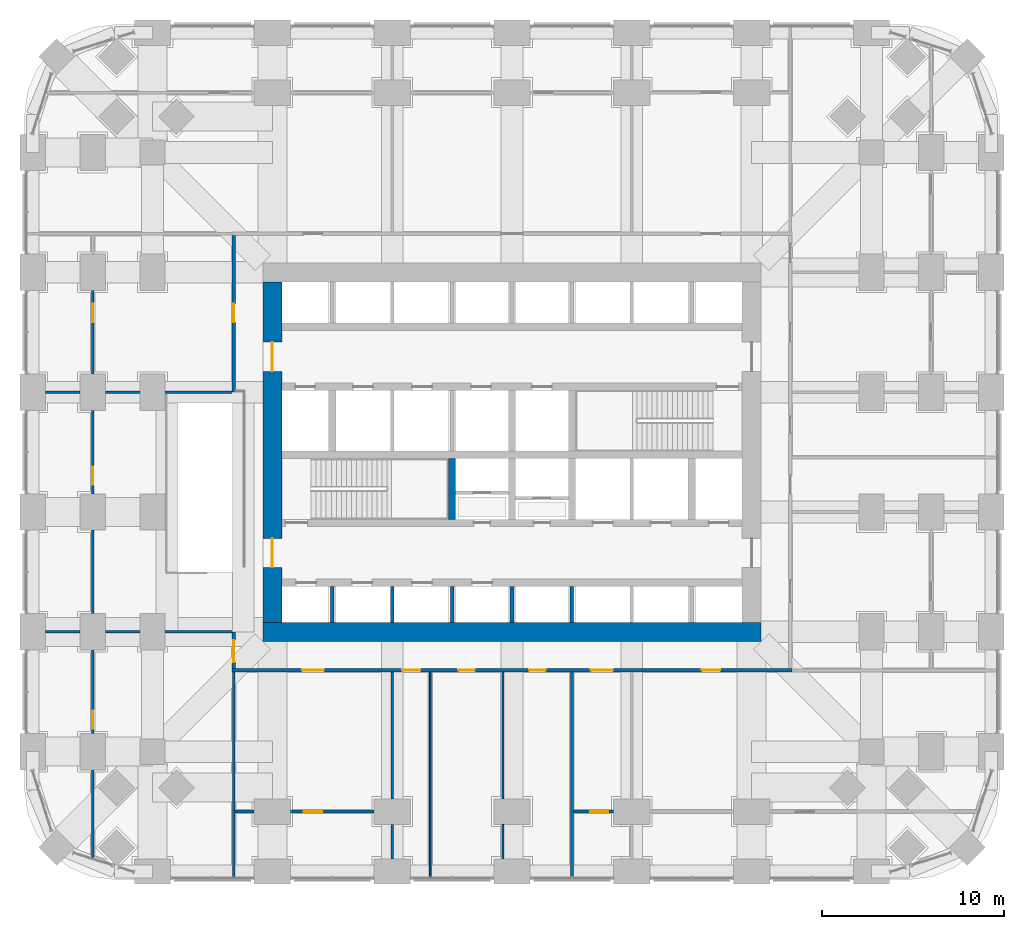
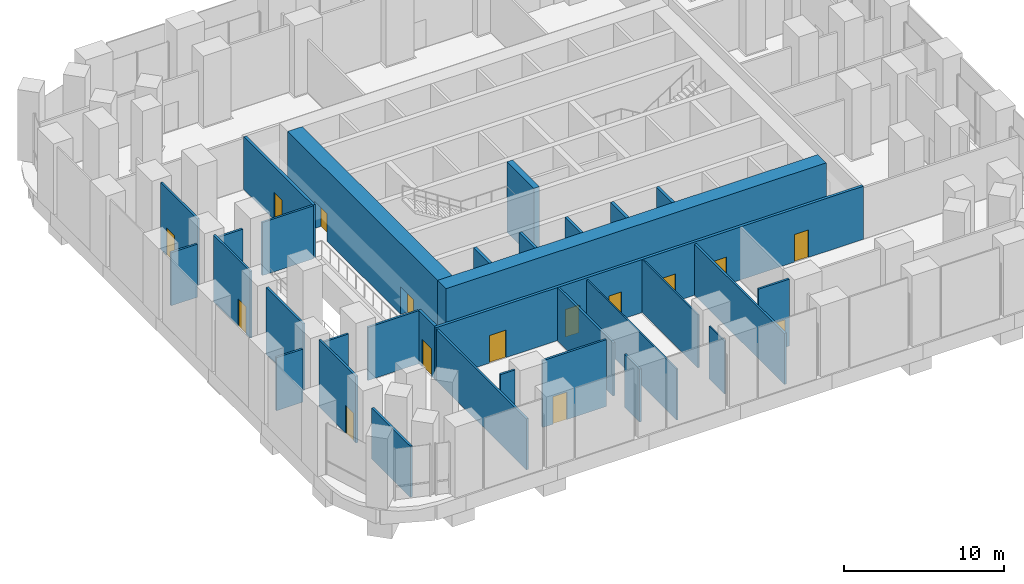
# One storey, part 11 of 17: 32 walls, 15 doors, 15 openings.
"""IFC4 building model written with IfcOpenShell, lengths in metres."""

import ifcopenshell
import ifcopenshell.guid

model = None  # the IFC model being written
_history = None  # IfcOwnerHistory: only IFC2X3 demands one
_inside = {}  # id of a spatial element -> (the spatial element, [elements in it])
_under = {}  # id of a project, library or spatial element -> (it, [spatial elements below it])
_declared = {}  # id of a project -> (the project, [libraries it declares])
_typed = {}  # id of a type object -> (the type object, [elements of that type])
_made_of = {}  # id of a material, layer set ... -> (it, [elements and type objects made of it])


def new_model(schema):
    """Start an empty IFC model of exactly this schema.

    Asked for "IFC4X3", IfcOpenShell would pick the latest addendum, in which some entities
    have other attributes; the version numbers below select the first issue.
    IFC2X3 requires an IfcOwnerHistory on every rooted entity: one is made here for all.
    """
    global model, _history
    if schema == "IFC4X3":
        model = ifcopenshell.file(schema_version=(4, 3, 0, 0))
    else:
        model = ifcopenshell.file(schema=schema)
    _inside.clear()
    _under.clear()
    _declared.clear()
    _typed.clear()
    _made_of.clear()
    _history = None
    if model.schema == "IFC2X3":
        org = make("IfcOrganization", Name="unknown")
        user = make(
            "IfcPersonAndOrganization",
            ThePerson=make("IfcPerson", FamilyName="unknown"),
            TheOrganization=org,
        )
        app = make(
            "IfcApplication",
            ApplicationDeveloper=org,
            Version="unknown",
            ApplicationFullName="unknown",
            ApplicationIdentifier="unknown",
        )
        _history = make(
            "IfcOwnerHistory",
            OwningUser=user,
            OwningApplication=app,
            ChangeAction="ADDED",
            CreationDate=0,
        )
    return model


def make(cls, **values):
    """One entity of the class cls with the attributes given. An attribute that is None is left unset."""
    return model.create_entity(
        cls, **{name: value for name, value in values.items() if value is not None}
    )


def rooted(cls, **values):
    """An entity with a GlobalId (a new one), such as an element, a storey or a relation."""
    return make(cls, GlobalId=ifcopenshell.guid.new(), OwnerHistory=_history, **values)


def si_unit(unit_type, name, prefix=None):
    """IfcSIUnit, for example si_unit("LENGTHUNIT", "METRE", prefix="MILLI")."""
    return make("IfcSIUnit", UnitType=unit_type, Prefix=prefix, Name=name)


def assignment(units):
    """IfcUnitAssignment: the units of a project."""
    return None if units is None else make("IfcUnitAssignment", Units=units)


def point(xyz):
    """IfcCartesianPoint."""
    return None if xyz is None else make("IfcCartesianPoint", Coordinates=xyz)


def direction(xyz):
    """IfcDirection."""
    return None if xyz is None else make("IfcDirection", DirectionRatios=xyz)


def frame(location, z_axis=None, x_axis=None):
    """IfcAxis2Placement3D, a coordinate frame: its origin and axes. An axis left out is left unset."""
    return make(
        "IfcAxis2Placement3D",
        Location=point(location),
        Axis=direction(z_axis),
        RefDirection=direction(x_axis),
    )


def frame_2d(location, x_axis=None):
    """IfcAxis2Placement2D, a coordinate frame in the plane: its origin and x axis."""
    return make(
        "IfcAxis2Placement2D", Location=point(location), RefDirection=direction(x_axis)
    )


def origin():
    """The frame at (0, 0, 0) with its axes left unset."""
    return frame((0.0, 0.0, 0.0))


def place(relative_to, where):
    """IfcLocalPlacement: puts the frame where relative to a parent placement (None: the world)."""
    return make(
        "IfcLocalPlacement", PlacementRelTo=relative_to, RelativePlacement=where
    )


def context(
    kind, dimensions, precision=None, world=None, true_north=None, identifier=None
):
    """IfcGeometricRepresentationContext, for example the 3D "Model" context."""
    return make(
        "IfcGeometricRepresentationContext",
        ContextIdentifier=identifier,
        ContextType=kind,
        CoordinateSpaceDimension=dimensions,
        Precision=precision,
        WorldCoordinateSystem=world,
        TrueNorth=true_north,
    )


def subcontext(parent, identifier, kind, view, scale=None):
    """IfcGeometricRepresentationSubContext, for example "Body" below "Model"."""
    return make(
        "IfcGeometricRepresentationSubContext",
        ContextIdentifier=identifier,
        ContextType=kind,
        ParentContext=parent,
        TargetScale=scale,
        TargetView=view,
    )


def project(units=None, contexts=None):
    """IfcProject with its units and contexts."""
    return rooted(
        "IfcProject",
        Name="project",
        RepresentationContexts=contexts,
        UnitsInContext=assignment(units),
    )


def spatial(cls, under=None, at=None, **own):
    """A site, building, storey or space (cls), placed at a placement, below another one or the project."""
    s = rooted(cls, ObjectPlacement=at, **own)
    if under is not None:
        _under.setdefault(under.id(), (under, []))[1].append(s)
    return s


def profile(cls, at=None, kind="AREA", **sizes):
    """A parametric profile (cls). Its sizes go by their IFC names, for example OverallWidth=200.0."""
    return make(cls, ProfileType=kind, Position=at, **sizes)


def rectangle(**sizes):
    """IfcRectangleProfileDef."""
    return profile("IfcRectangleProfileDef", **sizes)


def extrude(swept, where, along, depth):
    """IfcExtrudedAreaSolid: the profile swept, set in the frame where, extruded along a direction by depth."""
    return make(
        "IfcExtrudedAreaSolid",
        SweptArea=swept,
        Position=where,
        ExtrudedDirection=direction(along),
        Depth=depth,
    )


def shape(context_of_items, identifier, shape_type, items):
    """IfcShapeRepresentation: the items that make up one representation, for example the "Body"."""
    return make(
        "IfcShapeRepresentation",
        ContextOfItems=context_of_items,
        RepresentationIdentifier=identifier,
        RepresentationType=shape_type,
        Items=items,
    )


def material(Name=None, Category=None):
    """IfcMaterial."""
    return make("IfcMaterial", Name=Name, Category=Category)


def layer(
    of_material, thickness, ventilated=None, Name=None, Category=None, Priority=None
):
    """IfcMaterialLayer: one layer of a wall or slab, of a material (None: an air gap)."""
    return make(
        "IfcMaterialLayer",
        Material=of_material,
        LayerThickness=thickness,
        IsVentilated=ventilated,
        Name=Name,
        Category=Category,
        Priority=Priority,
    )


def layer_set(layers, Name=None):
    """IfcMaterialLayerSet."""
    return make("IfcMaterialLayerSet", MaterialLayers=layers, LayerSetName=Name)


def made_of(thing, what):
    """Note that an element or type object is made of a material, layer set ...; save() writes the relation."""
    if what is not None:
        _made_of.setdefault(what.id(), (what, []))[1].append(thing)
    return thing


def type_object(cls, material=None, **own):
    """A type object (cls), such as IfcWallType, which elements share."""
    return made_of(rooted(cls, **own), material)


def element(
    cls,
    number,
    at=None,
    inside=None,
    cuts=None,
    type_object=None,
    material=None,
    context=None,
    identifier="Body",
    shape_type=None,
    held_by="IfcProductDefinitionShape",
    body=None,
    shapes=None,
    **own,
):
    """One element of the class cls, such as IfcWall. Its Tag is "e" and its number.

    at: its placement. inside: the storey or other place that contains it. cuts: it is an
    opening in that element (IfcRelVoidsElement). A single representation is given by context,
    identifier, shape_type and body (its items); several are given by shapes. held_by: the class
    of the entity that holds the representations. save() writes the other relations.
    """
    e = rooted(cls, Tag="e%d" % number, ObjectPlacement=at, **own)
    if body is not None:
        shapes = [shape(context, identifier, shape_type, body)]
    if shapes is not None:
        e.Representation = make(held_by, Representations=shapes)
    if inside is not None:
        _inside.setdefault(inside.id(), (inside, []))[1].append(e)
    if cuts is not None:
        rooted(
            "IfcRelVoidsElement", RelatingBuildingElement=cuts, RelatedOpeningElement=e
        )
    if type_object is not None:
        _typed.setdefault(type_object.id(), (type_object, []))[1].append(e)
    return made_of(e, material)


def fill(opening, filler):
    """IfcRelFillsElement: the door or window that sits in an opening."""
    return rooted(
        "IfcRelFillsElement",
        RelatingOpeningElement=opening,
        RelatedBuildingElement=filler,
    )


def aggregate(whole, parts):
    """IfcRelAggregates: a whole, such as a stair, and the parts it consists of."""
    return rooted("IfcRelAggregates", RelatingObject=whole, RelatedObjects=parts)


def save(model, path):
    """Write the relations noted so far, then the file.

    IfcRelAggregates (storeys below a building ...), IfcRelContainedInSpatialStructure (elements
    in a storey), IfcRelDefinesByType, IfcRelAssociatesMaterial and IfcRelDeclares: one each for
    every whole, place, type object, material and project.
    """
    for whole, parts in _under.values():
        aggregate(whole, parts)
    for where, things in _inside.values():
        rooted(
            "IfcRelContainedInSpatialStructure",
            RelatedElements=things,
            RelatingStructure=where,
        )
    for kind, things in _typed.values():
        rooted("IfcRelDefinesByType", RelatedObjects=things, RelatingType=kind)
    for what, things in _made_of.values():
        rooted("IfcRelAssociatesMaterial", RelatedObjects=things, RelatingMaterial=what)
    for by, libraries in _declared.values():
        rooted("IfcRelDeclares", RelatingContext=by, RelatedDefinitions=libraries)
    model.write(path)


model = new_model("IFC4")

# Units and contexts
model_context = context("Model", 3, precision=1e-05, world=origin(), true_north=direction((0.0, 1.0)))
body_context = subcontext(model_context, "Body", "Model", "MODEL_VIEW")
ifc_project = project(units=[si_unit("LENGTHUNIT", "METRE"), si_unit("AREAUNIT", "SQUARE_METRE"), si_unit("VOLUMEUNIT", "CUBIC_METRE"), si_unit("PLANEANGLEUNIT", "RADIAN"), si_unit("MASSUNIT", "GRAM", prefix="KILO")], contexts=[model_context])

# Site, building, storey
site_placement = place(None, origin())
site = spatial("IfcSite", under=ifc_project, at=site_placement, CompositionType="ELEMENT")
building_placement = place(site_placement, origin())
building = spatial("IfcBuilding", under=site, at=building_placement, Name="Cobogo Forest Laboratory Tower", CompositionType="ELEMENT")
storey_placement = place(building_placement, frame((0.0, 0.0, 7.199951171875)))
storey = spatial("IfcBuildingStorey", under=building, at=storey_placement, Name="L01", CompositionType="ELEMENT", Elevation=7.199951171875)

# Walls
ifc_material_1 = material(Name="Concrete HA-50 (C50/60)", Category="concrete")
ifc_layer_1 = layer(ifc_material_1, 0.39990234375)
ifc_layer_set_1 = layer_set([ifc_layer_1], Name="CI400 core inner wall 400")
wall_type_1 = type_object("IfcWallType", Name="CI400 core inner wall 400", PredefinedType="SHEAR", material=ifc_layer_set_1)
wall_1_placement = place(storey_placement, frame((23.10009765625, 19.39990234375, 0.0), z_axis=(0.0, 0.0, 1.0), x_axis=(0.0, 1.0, 0.0)))
element("IfcWall", 1, at=wall_1_placement, inside=storey, type_object=wall_type_1, Name="Core wall CX-23.1 L01", PredefinedType="SHEAR", context=body_context, shape_type="SweptSolid", body=[
    extrude(rectangle(XDim=3.35009765625, YDim=0.39990234375, at=frame_2d((1.675048828125, 0.0))), origin(), (0.0, 0.0, 1.0), 5.400146484375),
])
ifc_layer_2 = layer(ifc_material_1, 1.050048828125)
ifc_layer_set_2 = layer_set([ifc_layer_2], Name="CW1050 core outer wall 1050")
wall_type_2 = type_object("IfcWallType", Name="CW1050 core outer wall 1050", PredefinedType="SHEAR", material=ifc_layer_set_2)
wall_2_placement = place(storey_placement, frame((12.675048828125, 13.199951171875, 0.0), z_axis=(0.0, 0.0, 1.0), x_axis=(1.0, 0.0, 0.0)))
element("IfcWall", 2, at=wall_2_placement, inside=storey, type_object=wall_type_2, Name="Core wall CO-S L01", PredefinedType="SHEAR", context=body_context, shape_type="SweptSolid", body=[
    extrude(rectangle(XDim=27.449951171875, YDim=1.050048828125, at=frame_2d((13.72509765625, 0.0))), origin(), (0.0, 0.0, 1.0), 5.400146484375),
])

# Wall, openings, doors
wall_3_placement = place(storey_placement, frame((13.199951171875, 32.47509765625, 0.0), z_axis=(0.0, 0.0, 1.0), x_axis=(0.0, -1.0, 0.0)))
wall_3 = element("IfcWall", 3, at=wall_3_placement, inside=storey, type_object=wall_type_2, Name="Core wall CO-W L01", PredefinedType="SHEAR", context=body_context, shape_type="SweptSolid", body=[
    extrude(rectangle(XDim=18.75, YDim=1.050048828125, at=frame_2d((9.375, 0.0))), origin(), (0.0, 0.0, 1.0), 5.400146484375),
])
opening_1_placement = place(wall_3_placement, frame((14.125, 0.0, 0.0)))
opening_1 = element("IfcOpeningElement", 4, at=opening_1_placement, cuts=wall_3, Name="Opening L01-D14", PredefinedType="OPENING", context=body_context, shape_type="SweptSolid", body=[
    extrude(rectangle(XDim=1.60009765625, YDim=2.10009765625, at=frame_2d((0.800048828125, 1.050048828125))), frame((0.0, 0.534912109375, 0.0), z_axis=(0.0, -1.0, 0.0), x_axis=(1.0, 0.0, 0.0)), (0.0, 0.0, 1.0), 1.070068359375),
])
opening_2_placement = place(wall_3_placement, frame((3.324951171875, 0.0, 0.0)))
opening_2 = element("IfcOpeningElement", 5, at=opening_2_placement, cuts=wall_3, Name="Opening L01-D25", PredefinedType="OPENING", context=body_context, shape_type="SweptSolid", body=[
    extrude(rectangle(XDim=1.60009765625, YDim=2.10009765625, at=frame_2d((0.800048828125, 1.050048828125))), frame((0.0, 0.534912109375, 0.0), z_axis=(0.0, -1.0, 0.0), x_axis=(1.0, 0.0, 0.0)), (0.0, 0.0, 1.0), 1.070068359375),
])
ifc_material_2 = material(Name="Steel fire door", Category="steel")
door_type_1 = type_object("IfcDoorType", Name="DS2 protected lobby door pair 1600 EI2 60", OperationType="DOUBLE_DOOR_DOUBLE_SWING", PredefinedType="DOOR", material=ifc_material_2)
door_1_placement = place(opening_1_placement, origin())
door_1 = element("IfcDoor", 6, at=door_1_placement, inside=storey, type_object=door_type_1, Name="Door L01-CO-W-S", OperationType="DOUBLE_DOOR_DOUBLE_SWING", OverallHeight=2.10009765625, OverallWidth=1.60009765625, PredefinedType="DOOR", context=body_context, shape_type="SweptSolid", body=[
    extrude(rectangle(XDim=1.60009765625, YDim=2.10009765625, at=frame_2d((0.800048828125, 1.050048828125))), frame((0.0, 0.02490234375, 0.0), z_axis=(0.0, -1.0, 0.0), x_axis=(1.0, 0.0, 0.0)), (0.0, 0.0, 1.0), 0.050048828125),
])
fill(opening_1, door_1)
door_2_placement = place(opening_2_placement, origin())
door_2 = element("IfcDoor", 7, at=door_2_placement, inside=storey, type_object=door_type_1, Name="Door L01-CO-W-N", OperationType="DOUBLE_DOOR_DOUBLE_SWING", OverallHeight=2.10009765625, OverallWidth=1.60009765625, PredefinedType="DOOR", context=body_context, shape_type="SweptSolid", body=[
    extrude(rectangle(XDim=1.60009765625, YDim=2.10009765625, at=frame_2d((0.800048828125, 1.050048828125))), frame((0.0, 0.02490234375, 0.0), z_axis=(0.0, -1.0, 0.0), x_axis=(1.0, 0.0, 0.0)), (0.0, 0.0, 1.0), 0.050048828125),
])
fill(opening_2, door_2)

# Walls
ifc_material_3 = material(Name="Gypsum board on steel studs", Category="steel")
ifc_layer_3 = layer(ifc_material_3, 0.14990234375)
ifc_layer_set_3 = layer_set([ifc_layer_3], Name="PT1 laboratory partition 150")
wall_type_3 = type_object("IfcWallType", Name="PT1 laboratory partition 150", PredefinedType="PARTITIONING", material=ifc_layer_set_3)
wall_4_placement = place(storey_placement, frame((11.074951171875, -0.27001953125, 0.0), z_axis=(0.0, 0.0, 1.0), x_axis=(0.0, 1.0, 0.0)))
element("IfcWall", 8, at=wall_4_placement, inside=storey, type_object=wall_type_3, Name="Partition PW-SW L01", PredefinedType="PARTITIONING", context=body_context, shape_type="SweptSolid", body=[
    extrude(rectangle(XDim=11.2451171875, YDim=0.14990234375, at=frame_2d((5.62255859375, 0.0))), origin(), (0.0, 0.0, 1.0), 3.900146484375),
])
wall_5_placement = place(storey_placement, frame((11.14990234375, 3.300048828125, 0.0), z_axis=(0.0, 0.0, 1.0), x_axis=(1.0, 0.0, 0.0)))
element("IfcWall", 9, at=wall_5_placement, inside=storey, type_object=wall_type_3, Name="Partition STRIP-S-1 L01", PredefinedType="PARTITIONING", context=body_context, shape_type="SweptSolid", body=[
    extrude(rectangle(XDim=1.050048828125, YDim=0.14990234375, at=frame_2d((0.52490234375, 0.0))), origin(), (0.0, 0.0, 1.0), 5.10009765625),
])

# Wall, opening, door
wall_6_placement = place(storey_placement, frame((14.199951171875, 3.300048828125, 0.0), z_axis=(0.0, 0.0, 1.0), x_axis=(1.0, 0.0, 0.0)))
wall_6 = element("IfcWall", 10, at=wall_6_placement, inside=storey, type_object=wall_type_3, Name="Partition STRIP-S-2 L01", PredefinedType="PARTITIONING", context=body_context, shape_type="SweptSolid", body=[
    extrude(rectangle(XDim=4.60009765625, YDim=0.14990234375, at=frame_2d((2.300048828125, 0.0))), origin(), (0.0, 0.0, 1.0), 5.10009765625),
])
opening_3_placement = place(wall_6_placement, frame((0.737548828125, 0.0, 0.0)))
opening_3 = element("IfcOpeningElement", 11, at=opening_3_placement, cuts=wall_6, Name="Opening L01-D01", PredefinedType="OPENING", context=body_context, shape_type="SweptSolid", body=[
    extrude(rectangle(XDim=1.0, YDim=2.10009765625, at=frame_2d((0.5, 1.050048828125))), frame((0.0, 0.0849609375, 0.0), z_axis=(0.0, -1.0, 0.0), x_axis=(1.0, 0.0, 0.0)), (0.0, 0.0, 1.0), 0.169921875),
])
ifc_material_4 = material(Name="Timber fire door", Category="wood")
door_type_2 = type_object("IfcDoorType", Name="FD2 fire door 1000 EI2 30", OperationType="SINGLE_SWING_LEFT", PredefinedType="DOOR", material=ifc_material_4)
door_3_placement = place(opening_3_placement, origin())
door_3 = element("IfcDoor", 12, at=door_3_placement, inside=storey, type_object=door_type_2, Name="Door L01-S1W", OperationType="SINGLE_SWING_LEFT", OverallHeight=2.10009765625, OverallWidth=1.0, PredefinedType="DOOR", context=body_context, shape_type="SweptSolid", body=[
    extrude(rectangle(XDim=1.0, YDim=2.10009765625, at=frame_2d((0.5, 1.050048828125))), frame((0.0, 0.02490234375, 0.0), z_axis=(0.0, -1.0, 0.0), x_axis=(1.0, 0.0, 0.0)), (0.0, 0.0, 1.0), 0.050048828125),
])
fill(opening_3, door_3)

wall_7_placement = place(storey_placement, frame((29.77490234375, 3.300048828125, 0.0), z_axis=(0.0, 0.0, 1.0), x_axis=(1.0, 0.0, 0.0)))
wall_7 = element("IfcWall", 13, at=wall_7_placement, inside=storey, type_object=wall_type_3, Name="Partition STRIP-S-3 L01", PredefinedType="PARTITIONING", context=body_context, shape_type="SweptSolid", body=[
    extrude(rectangle(XDim=2.22509765625, YDim=0.14990234375, at=frame_2d((1.112548828125, 0.0))), origin(), (0.0, 0.0, 1.0), 5.10009765625),
])
opening_4_placement = place(wall_7_placement, frame((0.925048828125, 0.0, 0.0)))
opening_4 = element("IfcOpeningElement", 14, at=opening_4_placement, cuts=wall_7, Name="Opening L01-D02", PredefinedType="OPENING", context=body_context, shape_type="SweptSolid", body=[
    extrude(rectangle(XDim=1.0, YDim=2.10009765625, at=frame_2d((0.5, 1.050048828125))), frame((0.0, 0.0849609375, 0.0), z_axis=(0.0, -1.0, 0.0), x_axis=(1.0, 0.0, 0.0)), (0.0, 0.0, 1.0), 0.169921875),
])
door_4_placement = place(opening_4_placement, origin())
door_4 = element("IfcDoor", 15, at=door_4_placement, inside=storey, type_object=door_type_2, Name="Door L01-S2W", OperationType="SINGLE_SWING_RIGHT", OverallHeight=2.10009765625, OverallWidth=1.0, PredefinedType="DOOR", context=body_context, shape_type="SweptSolid", body=[
    extrude(rectangle(XDim=1.0, YDim=2.10009765625, at=frame_2d((0.5, 1.050048828125))), frame((0.0, 0.02490234375, 0.0), z_axis=(0.0, -1.0, 0.0), x_axis=(1.0, 0.0, 0.0)), (0.0, 0.0, 1.0), 0.050048828125),
])
fill(opening_4, door_4)

# Walls
wall_8_placement = place(storey_placement, frame((29.699951171875, -0.27001953125, 0.0), z_axis=(0.0, 0.0, 1.0), x_axis=(0.0, 1.0, 0.0)))
element("IfcWall", 16, at=wall_8_placement, inside=storey, type_object=wall_type_3, Name="Partition SVC-S3-1 L01", PredefinedType="PARTITIONING", context=body_context, shape_type="SweptSolid", body=[
    extrude(rectangle(XDim=11.2451171875, YDim=0.14990234375, at=frame_2d((5.62255859375, 0.0))), origin(), (0.0, 0.0, 1.0), 3.900146484375),
])
wall_9_placement = place(storey_placement, frame((19.800048828125, 0.699951171875, 0.0), z_axis=(0.0, 0.0, 1.0), x_axis=(0.0, 1.0, 0.0)))
element("IfcWall", 17, at=wall_9_placement, inside=storey, type_object=wall_type_3, Name="Partition CUT-S19.8-1 L01", PredefinedType="PARTITIONING", context=body_context, shape_type="SweptSolid", body=[
    extrude(rectangle(XDim=1.900146484375, YDim=0.14990234375, at=frame_2d((0.9501953125, 0.0))), origin(), (0.0, 0.0, 1.0), 4.050048828125),
])
wall_10_placement = place(storey_placement, frame((19.800048828125, 4.0, 0.0), z_axis=(0.0, 0.0, 1.0), x_axis=(0.0, 1.0, 0.0)))
element("IfcWall", 18, at=wall_10_placement, inside=storey, type_object=wall_type_3, Name="Partition CUT-S19.8-2 L01", PredefinedType="PARTITIONING", context=body_context, shape_type="SweptSolid", body=[
    extrude(rectangle(XDim=6.97509765625, YDim=0.14990234375, at=frame_2d((3.487548828125, 0.0))), origin(), (0.0, 0.0, 1.0), 4.050048828125),
])

# Wall, opening, door
wall_11_placement = place(storey_placement, frame((3.300048828125, 32.0, 0.0), z_axis=(0.0, 0.0, 1.0), x_axis=(0.0, -1.0, 0.0)))
wall_11 = element("IfcWall", 19, at=wall_11_placement, inside=storey, type_object=wall_type_3, Name="Partition STRIP-W-2 L01", PredefinedType="PARTITIONING", context=body_context, shape_type="SweptSolid", body=[
    extrude(rectangle(XDim=4.60009765625, YDim=0.14990234375, at=frame_2d((2.300048828125, 0.0))), origin(), (0.0, 0.0, 1.0), 5.10009765625),
])
opening_5_placement = place(wall_11_placement, frame((0.737548828125, 0.0, 0.0)))
opening_5 = element("IfcOpeningElement", 20, at=opening_5_placement, cuts=wall_11, Name="Opening L01-D29", PredefinedType="OPENING", context=body_context, shape_type="SweptSolid", body=[
    extrude(rectangle(XDim=1.0, YDim=2.10009765625, at=frame_2d((0.5, 1.050048828125))), frame((0.0, 0.0849609375, 0.0), z_axis=(0.0, -1.0, 0.0), x_axis=(1.0, 0.0, 0.0)), (0.0, 0.0, 1.0), 0.169921875),
])
door_5_placement = place(opening_5_placement, origin())
door_5 = element("IfcDoor", 21, at=door_5_placement, inside=storey, type_object=door_type_2, Name="Door L01-W3W", OperationType="SINGLE_SWING_LEFT", OverallHeight=2.10009765625, OverallWidth=1.0, PredefinedType="DOOR", context=body_context, shape_type="SweptSolid", body=[
    extrude(rectangle(XDim=1.0, YDim=2.10009765625, at=frame_2d((0.5, 1.050048828125))), frame((0.0, 0.02490234375, 0.0), z_axis=(0.0, -1.0, 0.0), x_axis=(1.0, 0.0, 0.0)), (0.0, 0.0, 1.0), 0.050048828125),
])
fill(opening_5, door_5)

wall_12_placement = place(storey_placement, frame((3.300048828125, 25.39990234375, 0.0), z_axis=(0.0, 0.0, 1.0), x_axis=(0.0, -1.0, 0.0)))
wall_12 = element("IfcWall", 22, at=wall_12_placement, inside=storey, type_object=wall_type_3, Name="Partition STRIP-W-3 L01", PredefinedType="PARTITIONING", context=body_context, shape_type="SweptSolid", body=[
    extrude(rectangle(XDim=4.599853515625, YDim=0.14990234375, at=frame_2d((2.2998046875, 0.0))), origin(), (0.0, 0.0, 1.0), 5.10009765625),
])
opening_6_placement = place(wall_12_placement, frame((3.10009765625, 0.0, 0.0)))
opening_6 = element("IfcOpeningElement", 23, at=opening_6_placement, cuts=wall_12, Name="Opening L01-D22", PredefinedType="OPENING", context=body_context, shape_type="SweptSolid", body=[
    extrude(rectangle(XDim=1.0, YDim=2.10009765625, at=frame_2d((0.5, 1.050048828125))), frame((0.0, 0.0849609375, 0.0), z_axis=(0.0, -1.0, 0.0), x_axis=(1.0, 0.0, 0.0)), (0.0, 0.0, 1.0), 0.169921875),
])
door_6_placement = place(opening_6_placement, origin())
door_6 = element("IfcDoor", 24, at=door_6_placement, inside=storey, type_object=door_type_2, Name="Door L01-W2W", OperationType="SINGLE_SWING_RIGHT", OverallHeight=2.10009765625, OverallWidth=1.0, PredefinedType="DOOR", context=body_context, shape_type="SweptSolid", body=[
    extrude(rectangle(XDim=1.0, YDim=2.10009765625, at=frame_2d((0.5, 1.050048828125))), frame((0.0, 0.02490234375, 0.0), z_axis=(0.0, -1.0, 0.0), x_axis=(1.0, 0.0, 0.0)), (0.0, 0.0, 1.0), 0.050048828125),
])
fill(opening_6, door_6)

# Wall
wall_13_placement = place(storey_placement, frame((3.300048828125, 18.800048828125, 0.0), z_axis=(0.0, 0.0, 1.0), x_axis=(0.0, -1.0, 0.0)))
element("IfcWall", 25, at=wall_13_placement, inside=storey, type_object=wall_type_3, Name="Partition STRIP-W-4 L01", PredefinedType="PARTITIONING", context=body_context, shape_type="SweptSolid", body=[
    extrude(rectangle(XDim=4.60009765625, YDim=0.14990234375, at=frame_2d((2.300048828125, 0.0))), origin(), (0.0, 0.0, 1.0), 5.10009765625),
])

# Wall, opening, door
wall_14_placement = place(storey_placement, frame((3.300048828125, 12.199951171875, 0.0), z_axis=(0.0, 0.0, 1.0), x_axis=(0.0, -1.0, 0.0)))
wall_14 = element("IfcWall", 26, at=wall_14_placement, inside=storey, type_object=wall_type_3, Name="Partition STRIP-W-5 L01", PredefinedType="PARTITIONING", context=body_context, shape_type="SweptSolid", body=[
    extrude(rectangle(XDim=4.599853515625, YDim=0.14990234375, at=frame_2d((2.2998046875, 0.0))), origin(), (0.0, 0.0, 1.0), 5.10009765625),
])
opening_7_placement = place(wall_14_placement, frame((3.35009765625, 0.0, 0.0)))
opening_7 = element("IfcOpeningElement", 27, at=opening_7_placement, cuts=wall_14, Name="Opening L01-D04", PredefinedType="OPENING", context=body_context, shape_type="SweptSolid", body=[
    extrude(rectangle(XDim=1.0, YDim=2.10009765625, at=frame_2d((0.5, 1.050048828125))), frame((0.0, 0.0849609375, 0.0), z_axis=(0.0, -1.0, 0.0), x_axis=(1.0, 0.0, 0.0)), (0.0, 0.0, 1.0), 0.169921875),
])
door_7_placement = place(opening_7_placement, origin())
door_7 = element("IfcDoor", 28, at=door_7_placement, inside=storey, type_object=door_type_2, Name="Door L01-W1W", OperationType="SINGLE_SWING_RIGHT", OverallHeight=2.10009765625, OverallWidth=1.0, PredefinedType="DOOR", context=body_context, shape_type="SweptSolid", body=[
    extrude(rectangle(XDim=1.0, YDim=2.10009765625, at=frame_2d((0.5, 1.050048828125))), frame((0.0, 0.02490234375, 0.0), z_axis=(0.0, -1.0, 0.0), x_axis=(1.0, 0.0, 0.0)), (0.0, 0.0, 1.0), 0.050048828125),
])
fill(opening_7, door_7)

# Walls
wall_15_placement = place(storey_placement, frame((3.300048828125, 5.60009765625, 0.0), z_axis=(0.0, 0.0, 1.0), x_axis=(0.0, -1.0, 0.0)))
element("IfcWall", 29, at=wall_15_placement, inside=storey, type_object=wall_type_3, Name="Partition STRIP-W-6 L01", PredefinedType="PARTITIONING", context=body_context, shape_type="SweptSolid", body=[
    extrude(rectangle(XDim=4.823974609375, YDim=0.14990234375, at=frame_2d((2.412109375, 0.0))), origin(), (0.0, 0.0, 1.0), 3.900146484375),
])
wall_16_placement = place(storey_placement, frame((0.699951171875, 13.199951171875, 0.0), z_axis=(0.0, 0.0, 1.0), x_axis=(1.0, 0.0, 0.0)))
element("IfcWall", 30, at=wall_16_placement, inside=storey, type_object=wall_type_3, Name="Partition CUT-W13.2a-1 L01", PredefinedType="PARTITIONING", context=body_context, shape_type="SweptSolid", body=[
    extrude(rectangle(XDim=1.900146484375, YDim=0.14990234375, at=frame_2d((0.9501953125, 0.0))), origin(), (0.0, 0.0, 1.0), 4.050048828125),
])
wall_17_placement = place(storey_placement, frame((4.0, 13.199951171875, 0.0), z_axis=(0.0, 0.0, 1.0), x_axis=(1.0, 0.0, 0.0)))
element("IfcWall", 31, at=wall_17_placement, inside=storey, type_object=wall_type_3, Name="Partition CUT-W13.2b-1 L01", PredefinedType="PARTITIONING", context=body_context, shape_type="SweptSolid", body=[
    extrude(rectangle(XDim=1.89990234375, YDim=0.14990234375, at=frame_2d((0.949951171875, 0.0))), origin(), (0.0, 0.0, 1.0), 4.050048828125),
])
wall_18_placement = place(storey_placement, frame((7.300048828125, 13.199951171875, 0.0), z_axis=(0.0, 0.0, 1.0), x_axis=(1.0, 0.0, 0.0)))
element("IfcWall", 32, at=wall_18_placement, inside=storey, type_object=wall_type_3, Name="Partition CUT-W13.2b-2 L01", PredefinedType="PARTITIONING", context=body_context, shape_type="SweptSolid", body=[
    extrude(rectangle(XDim=3.675048828125, YDim=0.14990234375, at=frame_2d((1.83740234375, 0.0))), origin(), (0.0, 0.0, 1.0), 4.050048828125),
])
wall_19_placement = place(storey_placement, frame((0.699951171875, 26.39990234375, 0.0), z_axis=(0.0, 0.0, 1.0), x_axis=(1.0, 0.0, 0.0)))
element("IfcWall", 33, at=wall_19_placement, inside=storey, type_object=wall_type_3, Name="Partition CUT-W26.4a-1 L01", PredefinedType="PARTITIONING", context=body_context, shape_type="SweptSolid", body=[
    extrude(rectangle(XDim=1.900146484375, YDim=0.14990234375, at=frame_2d((0.9501953125, 0.0))), origin(), (0.0, 0.0, 1.0), 4.050048828125),
])
wall_20_placement = place(storey_placement, frame((4.0, 26.39990234375, 0.0), z_axis=(0.0, 0.0, 1.0), x_axis=(1.0, 0.0, 0.0)))
element("IfcWall", 34, at=wall_20_placement, inside=storey, type_object=wall_type_3, Name="Partition CUT-W26.4b-1 L01", PredefinedType="PARTITIONING", context=body_context, shape_type="SweptSolid", body=[
    extrude(rectangle(XDim=1.89990234375, YDim=0.14990234375, at=frame_2d((0.949951171875, 0.0))), origin(), (0.0, 0.0, 1.0), 4.050048828125),
])
wall_21_placement = place(storey_placement, frame((7.300048828125, 26.39990234375, 0.0), z_axis=(0.0, 0.0, 1.0), x_axis=(1.0, 0.0, 0.0)))
element("IfcWall", 35, at=wall_21_placement, inside=storey, type_object=wall_type_3, Name="Partition CUT-W26.4b-2 L01", PredefinedType="PARTITIONING", context=body_context, shape_type="SweptSolid", body=[
    extrude(rectangle(XDim=3.675048828125, YDim=0.14990234375, at=frame_2d((1.83740234375, 0.0))), origin(), (0.0, 0.0, 1.0), 4.050048828125),
])

# Wall, openings, doors
ifc_layer_4 = layer(ifc_material_3, 0.199951171875)
ifc_layer_set_4 = layer_set([ifc_layer_4], Name="PT2 fire-rated corridor partition 200")
wall_type_4 = type_object("IfcWallType", Name="PT2 fire-rated corridor partition 200", PredefinedType="PARTITIONING", material=ifc_layer_set_4)
wall_22_placement = place(storey_placement, frame((10.97509765625, 11.074951171875, 0.0), z_axis=(0.0, 0.0, 1.0), x_axis=(1.0, 0.0, 0.0)))
wall_22 = element("IfcWall", 36, at=wall_22_placement, inside=storey, type_object=wall_type_4, Name="Partition CORR-S L01", PredefinedType="PARTITIONING", context=body_context, shape_type="SweptSolid", body=[
    extrude(rectangle(XDim=30.849853515625, YDim=0.199951171875, at=frame_2d((15.4248046875, 0.0))), origin(), (0.0, 0.0, 1.0), 4.050048828125),
])
opening_8_placement = place(wall_22_placement, frame((3.862548828125, 0.0, 0.0)))
opening_8 = element("IfcOpeningElement", 37, at=opening_8_placement, cuts=wall_22, Name="Opening L01-D05", PredefinedType="OPENING", context=body_context, shape_type="SweptSolid", body=[
    extrude(rectangle(XDim=1.199951171875, YDim=2.10009765625, at=frame_2d((0.60009765625, 1.050048828125))), frame((0.0, 0.10986328125, 0.0), z_axis=(0.0, -1.0, 0.0), x_axis=(1.0, 0.0, 0.0)), (0.0, 0.0, 1.0), 0.219970703125),
])
opening_9_placement = place(wall_22_placement, frame((9.375, 0.0, 0.0)))
opening_9 = element("IfcOpeningElement", 38, at=opening_9_placement, cuts=wall_22, Name="Opening L01-D06", PredefinedType="OPENING", context=body_context, shape_type="SweptSolid", body=[
    extrude(rectangle(XDim=1.0, YDim=2.10009765625, at=frame_2d((0.5, 1.050048828125))), frame((0.0, 0.10986328125, 0.0), z_axis=(0.0, -1.0, 0.0), x_axis=(1.0, 0.0, 0.0)), (0.0, 0.0, 1.0), 0.219970703125),
])
opening_10_placement = place(wall_22_placement, frame((12.47509765625, 0.0, 0.0)))
opening_10 = element("IfcOpeningElement", 39, at=opening_10_placement, cuts=wall_22, Name="Opening L01-D07", PredefinedType="OPENING", context=body_context, shape_type="SweptSolid", body=[
    extrude(rectangle(XDim=0.89990234375, YDim=2.10009765625, at=frame_2d((0.449951171875, 1.050048828125))), frame((0.0, 0.10986328125, 0.0), z_axis=(0.0, -1.0, 0.0), x_axis=(1.0, 0.0, 0.0)), (0.0, 0.0, 1.0), 0.219970703125),
])
opening_11_placement = place(wall_22_placement, frame((16.375, 0.0, 0.0)))
opening_11 = element("IfcOpeningElement", 40, at=opening_11_placement, cuts=wall_22, Name="Opening L01-D08", PredefinedType="OPENING", context=body_context, shape_type="SweptSolid", body=[
    extrude(rectangle(XDim=0.89990234375, YDim=2.10009765625, at=frame_2d((0.449951171875, 1.050048828125))), frame((0.0, 0.10986328125, 0.0), z_axis=(0.0, -1.0, 0.0), x_axis=(1.0, 0.0, 0.0)), (0.0, 0.0, 1.0), 0.219970703125),
])
opening_12_placement = place(wall_22_placement, frame((19.77490234375, 0.0, 0.0)))
opening_12 = element("IfcOpeningElement", 41, at=opening_12_placement, cuts=wall_22, Name="Opening L01-D09", PredefinedType="OPENING", context=body_context, shape_type="SweptSolid", body=[
    extrude(rectangle(XDim=1.199951171875, YDim=2.10009765625, at=frame_2d((0.60009765625, 1.050048828125))), frame((0.0, 0.10986328125, 0.0), z_axis=(0.0, -1.0, 0.0), x_axis=(1.0, 0.0, 0.0)), (0.0, 0.0, 1.0), 0.219970703125),
])
opening_13_placement = place(wall_22_placement, frame((25.887451171875, 0.0, 0.0)))
opening_13 = element("IfcOpeningElement", 42, at=opening_13_placement, cuts=wall_22, Name="Opening L01-D10", PredefinedType="OPENING", context=body_context, shape_type="SweptSolid", body=[
    extrude(rectangle(XDim=1.0, YDim=2.10009765625, at=frame_2d((0.5, 1.050048828125))), frame((0.0, 0.10986328125, 0.0), z_axis=(0.0, -1.0, 0.0), x_axis=(1.0, 0.0, 0.0)), (0.0, 0.0, 1.0), 0.219970703125),
])
ifc_material_5 = material(Name="Timber door", Category="wood")
door_type_3 = type_object("IfcDoorType", Name="D2 laboratory door 1200 unequal pair", OperationType="DOUBLE_DOOR_SINGLE_SWING", PredefinedType="DOOR", material=ifc_material_5)
door_8_placement = place(opening_8_placement, origin())
door_8 = element("IfcDoor", 43, at=door_8_placement, inside=storey, type_object=door_type_3, Name="Door L01-S1", OperationType="DOUBLE_DOOR_SINGLE_SWING", OverallHeight=2.10009765625, OverallWidth=1.199951171875, PredefinedType="DOOR", context=body_context, shape_type="SweptSolid", body=[
    extrude(rectangle(XDim=1.199951171875, YDim=2.10009765625, at=frame_2d((0.60009765625, 1.050048828125))), frame((0.0, 0.02490234375, 0.0), z_axis=(0.0, -1.0, 0.0), x_axis=(1.0, 0.0, 0.0)), (0.0, 0.0, 1.0), 0.050048828125),
])
fill(opening_8, door_8)
door_9_placement = place(opening_12_placement, origin())
door_9 = element("IfcDoor", 44, at=door_9_placement, inside=storey, type_object=door_type_3, Name="Door L01-S2", OperationType="DOUBLE_DOOR_SINGLE_SWING", OverallHeight=2.10009765625, OverallWidth=1.199951171875, PredefinedType="DOOR", context=body_context, shape_type="SweptSolid", body=[
    extrude(rectangle(XDim=1.199951171875, YDim=2.10009765625, at=frame_2d((0.60009765625, 1.050048828125))), frame((0.0, 0.02490234375, 0.0), z_axis=(0.0, -1.0, 0.0), x_axis=(1.0, 0.0, 0.0)), (0.0, 0.0, 1.0), 0.050048828125),
])
fill(opening_12, door_9)
door_10_placement = place(opening_13_placement, origin())
door_10 = element("IfcDoor", 45, at=door_10_placement, inside=storey, type_object=door_type_2, Name="Door L01-S3", OperationType="SINGLE_SWING_RIGHT", OverallHeight=2.10009765625, OverallWidth=1.0, PredefinedType="DOOR", context=body_context, shape_type="SweptSolid", body=[
    extrude(rectangle(XDim=1.0, YDim=2.10009765625, at=frame_2d((0.5, 1.050048828125))), frame((0.0, 0.02490234375, 0.0), z_axis=(0.0, -1.0, 0.0), x_axis=(1.0, 0.0, 0.0)), (0.0, 0.0, 1.0), 0.050048828125),
])
fill(opening_13, door_10)
door_type_4 = type_object("IfcDoorType", Name="FD3 toilet fire door 900 EI2 30", OperationType="SINGLE_SWING_LEFT", PredefinedType="DOOR", material=ifc_material_4)
door_11_placement = place(opening_10_placement, origin())
door_11 = element("IfcDoor", 46, at=door_11_placement, inside=storey, type_object=door_type_4, Name="Door L01-WCF", OperationType="SINGLE_SWING_LEFT", OverallHeight=2.10009765625, OverallWidth=0.89990234375, PredefinedType="DOOR", context=body_context, shape_type="SweptSolid", body=[
    extrude(rectangle(XDim=0.89990234375, YDim=2.10009765625, at=frame_2d((0.449951171875, 1.050048828125))), frame((0.0, 0.02490234375, 0.0), z_axis=(0.0, -1.0, 0.0), x_axis=(1.0, 0.0, 0.0)), (0.0, 0.0, 1.0), 0.050048828125),
])
fill(opening_10, door_11)
door_12_placement = place(opening_11_placement, origin())
door_12 = element("IfcDoor", 47, at=door_12_placement, inside=storey, type_object=door_type_4, Name="Door L01-WCM", OperationType="SINGLE_SWING_RIGHT", OverallHeight=2.10009765625, OverallWidth=0.89990234375, PredefinedType="DOOR", context=body_context, shape_type="SweptSolid", body=[
    extrude(rectangle(XDim=0.89990234375, YDim=2.10009765625, at=frame_2d((0.449951171875, 1.050048828125))), frame((0.0, 0.02490234375, 0.0), z_axis=(0.0, -1.0, 0.0), x_axis=(1.0, 0.0, 0.0)), (0.0, 0.0, 1.0), 0.050048828125),
])
fill(opening_11, door_12)
door_type_5 = type_object("IfcDoorType", Name="FDA1 accessible toilet fire door 1000 EI2 30", OperationType="SINGLE_SWING_RIGHT", PredefinedType="DOOR", material=ifc_material_4)
door_13_placement = place(opening_9_placement, origin())
door_13 = element("IfcDoor", 48, at=door_13_placement, inside=storey, type_object=door_type_5, Name="Door L01-WCA", OperationType="SINGLE_SWING_LEFT", OverallHeight=2.10009765625, OverallWidth=1.0, PredefinedType="DOOR", context=body_context, shape_type="SweptSolid", body=[
    extrude(rectangle(XDim=1.0, YDim=2.10009765625, at=frame_2d((0.5, 1.050048828125))), frame((0.0, 0.02490234375, 0.0), z_axis=(0.0, -1.0, 0.0), x_axis=(1.0, 0.0, 0.0)), (0.0, 0.0, 1.0), 0.050048828125),
])
fill(opening_9, door_13)

# Wall, opening, door
wall_23_placement = place(storey_placement, frame((11.074951171875, 11.175048828125, 0.0), z_axis=(0.0, 0.0, 1.0), x_axis=(0.0, 1.0, 0.0)))
wall_23 = element("IfcWall", 49, at=wall_23_placement, inside=storey, type_object=wall_type_4, Name="Partition CORR-W-1 L01", PredefinedType="PARTITIONING", context=body_context, shape_type="SweptSolid", body=[
    extrude(rectangle(XDim=2.02490234375, YDim=0.199951171875, at=frame_2d((1.012451171875, 0.0))), origin(), (0.0, 0.0, 1.0), 4.050048828125),
])
opening_14_placement = place(wall_23_placement, frame((0.362548828125, 0.0, 0.0)))
opening_14 = element("IfcOpeningElement", 50, at=opening_14_placement, cuts=wall_23, Name="Opening L01-D11", PredefinedType="OPENING", context=body_context, shape_type="SweptSolid", body=[
    extrude(rectangle(XDim=1.199951171875, YDim=2.10009765625, at=frame_2d((0.60009765625, 1.050048828125))), frame((0.0, 0.10986328125, 0.0), z_axis=(0.0, -1.0, 0.0), x_axis=(1.0, 0.0, 0.0)), (0.0, 0.0, 1.0), 0.219970703125),
])
door_14_placement = place(opening_14_placement, origin())
door_14 = element("IfcDoor", 51, at=door_14_placement, inside=storey, type_object=door_type_3, Name="Door L01-W1", OperationType="DOUBLE_DOOR_SINGLE_SWING", OverallHeight=2.10009765625, OverallWidth=1.199951171875, PredefinedType="DOOR", context=body_context, shape_type="SweptSolid", body=[
    extrude(rectangle(XDim=1.199951171875, YDim=2.10009765625, at=frame_2d((0.60009765625, 1.050048828125))), frame((0.0, 0.02490234375, 0.0), z_axis=(0.0, -1.0, 0.0), x_axis=(1.0, 0.0, 0.0)), (0.0, 0.0, 1.0), 0.050048828125),
])
fill(opening_14, door_14)

wall_24_placement = place(storey_placement, frame((11.074951171875, 26.39990234375, 0.0), z_axis=(0.0, 0.0, 1.0), x_axis=(0.0, 1.0, 0.0)))
wall_24 = element("IfcWall", 52, at=wall_24_placement, inside=storey, type_object=wall_type_4, Name="Partition CORR-W-2 L01", PredefinedType="PARTITIONING", context=body_context, shape_type="SweptSolid", body=[
    extrude(rectangle(XDim=8.625, YDim=0.199951171875, at=frame_2d((4.3125, 0.0))), origin(), (0.0, 0.0, 1.0), 4.050048828125),
])
opening_15_placement = place(wall_24_placement, frame((3.862548828125, 0.0, 0.0)))
opening_15 = element("IfcOpeningElement", 53, at=opening_15_placement, cuts=wall_24, Name="Opening L01-D30", PredefinedType="OPENING", context=body_context, shape_type="SweptSolid", body=[
    extrude(rectangle(XDim=1.0, YDim=2.10009765625, at=frame_2d((0.5, 1.050048828125))), frame((0.0, 0.10986328125, 0.0), z_axis=(0.0, -1.0, 0.0), x_axis=(1.0, 0.0, 0.0)), (0.0, 0.0, 1.0), 0.219970703125),
])
door_15_placement = place(opening_15_placement, origin())
door_15 = element("IfcDoor", 54, at=door_15_placement, inside=storey, type_object=door_type_2, Name="Door L01-W3", OperationType="SINGLE_SWING_RIGHT", OverallHeight=2.10009765625, OverallWidth=1.0, PredefinedType="DOOR", context=body_context, shape_type="SweptSolid", body=[
    extrude(rectangle(XDim=1.0, YDim=2.10009765625, at=frame_2d((0.5, 1.050048828125))), frame((0.0, 0.02490234375, 0.0), z_axis=(0.0, -1.0, 0.0), x_axis=(1.0, 0.0, 0.0)), (0.0, 0.0, 1.0), 0.050048828125),
])
fill(opening_15, door_15)

# Walls
ifc_layer_5 = layer(ifc_material_3, 0.10009765625)
ifc_layer_set_5 = layer_set([ifc_layer_5], Name="PT3 toilet partition 100")
wall_type_5 = type_object("IfcWallType", Name="PT3 toilet partition 100", PredefinedType="PARTITIONING", material=ifc_layer_set_5)
wall_25_placement = place(storey_placement, frame((21.89990234375, -0.27001953125, 0.0), z_axis=(0.0, 0.0, 1.0), x_axis=(0.0, 1.0, 0.0)))
element("IfcWall", 55, at=wall_25_placement, inside=storey, type_object=wall_type_5, Name="Partition SVC-S1-1 L01", PredefinedType="PARTITIONING", context=body_context, shape_type="SweptSolid", body=[
    extrude(rectangle(XDim=11.2451171875, YDim=0.10009765625, at=frame_2d((5.62255859375, 0.0))), origin(), (0.0, 0.0, 1.0), 3.900146484375),
])
wall_26_placement = place(storey_placement, frame((25.89990234375, 0.699951171875, 0.0), z_axis=(0.0, 0.0, 1.0), x_axis=(0.0, 1.0, 0.0)))
element("IfcWall", 56, at=wall_26_placement, inside=storey, type_object=wall_type_5, Name="Partition SVC-S2-1 L01", PredefinedType="PARTITIONING", context=body_context, shape_type="SweptSolid", body=[
    extrude(rectangle(XDim=1.900146484375, YDim=0.10009765625, at=frame_2d((0.9501953125, 0.0))), origin(), (0.0, 0.0, 1.0), 4.050048828125),
])
wall_27_placement = place(storey_placement, frame((25.89990234375, 4.0, 0.0), z_axis=(0.0, 0.0, 1.0), x_axis=(0.0, 1.0, 0.0)))
element("IfcWall", 57, at=wall_27_placement, inside=storey, type_object=wall_type_5, Name="Partition SVC-S2-2 L01", PredefinedType="PARTITIONING", context=body_context, shape_type="SweptSolid", body=[
    extrude(rectangle(XDim=6.97509765625, YDim=0.10009765625, at=frame_2d((3.487548828125, 0.0))), origin(), (0.0, 0.0, 1.0), 4.050048828125),
])
ifc_material_6 = material(Name="Concrete block", Category="concrete")
ifc_layer_6 = layer(ifc_material_6, 0.199951171875)
ifc_layer_set_6 = layer_set([ifc_layer_6], Name="SW200 lift shaft separator 200")
wall_type_6 = type_object("IfcWallType", Name="SW200 lift shaft separator 200", PredefinedType="PARTITIONING", material=ifc_layer_set_6)
for number, where, z_axis, x_axis, name in (
    (58, (16.5, 13.72509765625, 0.0), (0.0, 0.0, 1.0), (0.0, 1.0, 0.0), "Core wall SEP-S1 L01"),
    (59, (19.800048828125, 13.72509765625, 0.0), (0.0, 0.0, 1.0), (0.0, 1.0, 0.0), "Core wall SEP-S2 L01"),
    (60, (23.10009765625, 13.72509765625, 0.0), (0.0, 0.0, 1.0), (0.0, 1.0, 0.0), "Core wall SEP-S3 L01"),
    (61, (26.39990234375, 13.72509765625, 0.0), (0.0, 0.0, 1.0), (0.0, 1.0, 0.0), "Core wall SEP-S4 L01"),
    (62, (29.699951171875, 13.72509765625, 0.0), (0.0, 0.0, 1.0), (0.0, 1.0, 0.0), "Core wall SEP-S5 L01"),
):
    element("IfcWall", number, at=place(storey_placement, frame(where, z_axis=z_axis, x_axis=x_axis)), inside=storey, type_object=wall_type_6, Name=name, PredefinedType="PARTITIONING", context=body_context, shape_type="SweptSolid", body=[
        extrude(rectangle(XDim=1.974853515625, YDim=0.199951171875, at=frame_2d((0.9873046875, 0.0))), origin(), (0.0, 0.0, 1.0), 5.400146484375),
    ])

save(model, "model.ifc")
